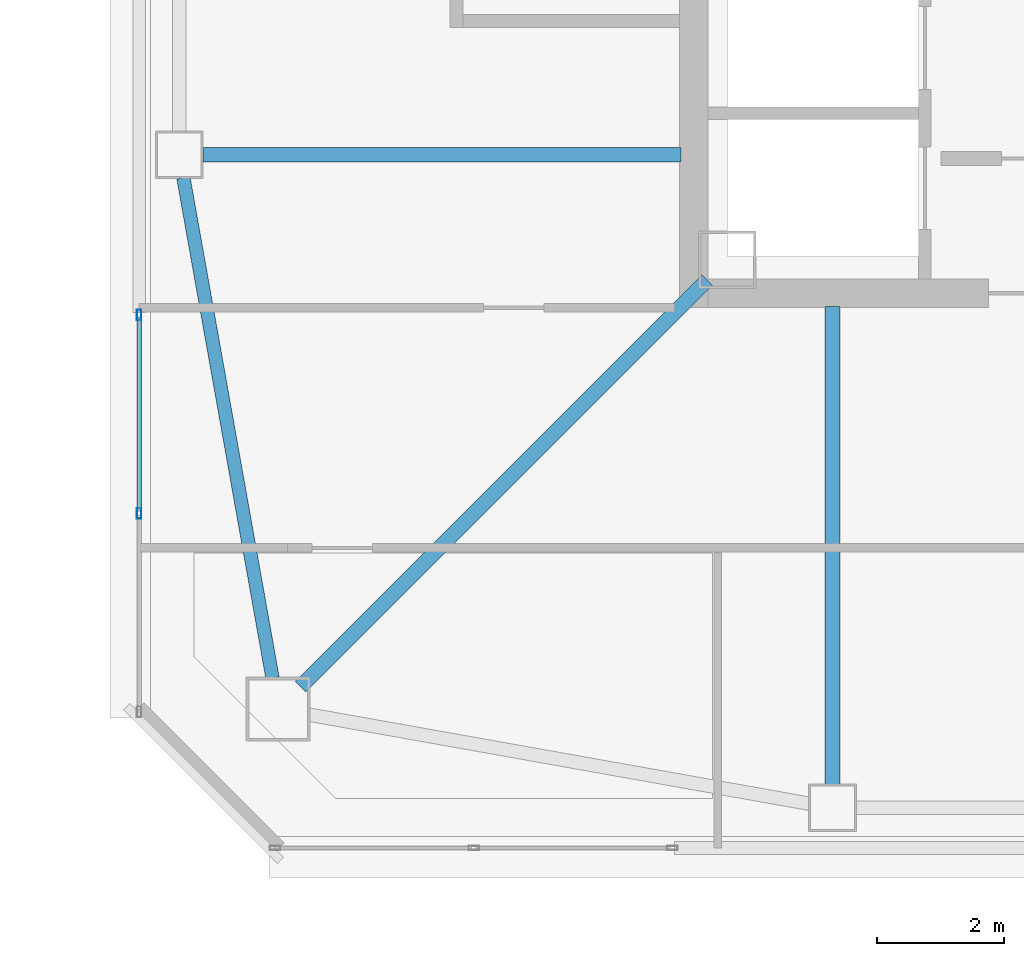
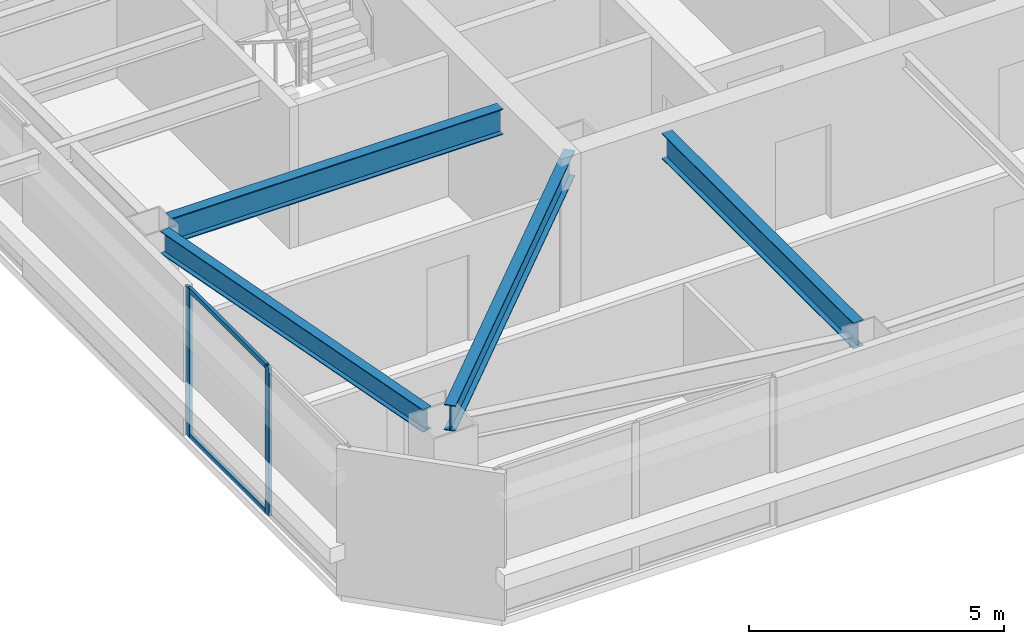
# One storey, part 5 of 44: 4 beams, 4 members, 1 element without a shape of its own.
"""IFC4 building model written with IfcOpenShell, lengths in metres."""

from ifc_helpers import new_model, si_unit, direction, frame, origin, origin_2d, place, context, subcontext, project, spatial, hollow_rectangle, i_section, extrude, material, material_profile, profile_set, type_object, element, aggregate, save


model = new_model("IFC4")

# Units and contexts
model_context = context("Model", 3, precision=1e-05, world=origin(), true_north=direction((0.0, 1.0)))
body_context = subcontext(model_context, "Body", "Model", "MODEL_VIEW")
ifc_project = project(units=[si_unit("LENGTHUNIT", "METRE"), si_unit("AREAUNIT", "SQUARE_METRE"), si_unit("VOLUMEUNIT", "CUBIC_METRE"), si_unit("PLANEANGLEUNIT", "RADIAN"), si_unit("MASSUNIT", "GRAM", prefix="KILO")], contexts=[model_context])

# Site, building, storey
site_placement = place(None, origin())
site = spatial("IfcSite", under=ifc_project, at=site_placement, CompositionType="ELEMENT")
building_placement = place(site_placement, origin())
building = spatial("IfcBuilding", under=site, at=building_placement, Name="Tashvorn Skyway Center", CompositionType="ELEMENT")
storey_placement = place(building_placement, frame((0.0, 0.0, 211.300048828125)))
storey = spatial("IfcBuildingStorey", under=building, at=storey_placement, Name="L57", CompositionType="ELEMENT", Elevation=211.300048828125)

# Beams
ifc_material_1 = material(Name="Steel ASTM A992 Grade 50", Category="steel")
ifc_material_profile_1 = material_profile(ifc_material_1, i_section(OverallWidth=0.22998046875, OverallDepth=0.616943359375, WebThickness=0.01318359375, FlangeThickness=0.022216796875, at=origin_2d()), Name="W24X94")
ifc_profile_set_1 = profile_set([ifc_material_profile_1], Name="Steel ASTM A992 Grade 50")
beam_type_1 = type_object("IfcBeamType", Name="BM-BEAM-W24X94", PredefinedType="BEAM", material=ifc_profile_set_1)
beam_1_placement = place(storey_placement, frame((28.25, 18.25, 3.0615234375), z_axis=(0.707106781187, 0.707106781187, 0.0), x_axis=(-0.707106781187, 0.707106781187, 0.0)))
element("IfcBeam", 1, at=beam_1_placement, inside=storey, type_object=beam_type_1, Name="Tower 1 L57 Primary Floor Girder MC-SW", PredefinedType="BEAM", context=body_context, shape_type="SweptSolid", body=[
    extrude(i_section(OverallWidth=0.22998046875, OverallDepth=0.616943359375, WebThickness=0.01318359375, FlangeThickness=0.022216796875, at=origin_2d()), origin(), (0.0, 0.0, 1.0), 9.030029296875),
])
for number, where, z_axis, x_axis, name in (
    (2, (36.60009765625, 16.719970703125, 3.0615234375), (0.0, 1.0, 0.0), (-1.0, 0.0, 0.0), "Tower 1 L57 Primary Floor Girder FC-S1"),
    (3, (26.719970703125, 26.60009765625, 3.0615234375), (1.0, 0.0, 0.0), (0.0, 1.0, 0.0), "Tower 1 L57 Primary Floor Girder FC-W2"),
):
    element("IfcBeam", number, at=place(storey_placement, frame(where, z_axis=z_axis, x_axis=x_axis)), inside=storey, type_object=beam_type_1, Name=name, PredefinedType="BEAM", context=body_context, shape_type="SweptSolid", body=[
        extrude(i_section(OverallWidth=0.22998046875, OverallDepth=0.616943359375, WebThickness=0.01318359375, FlangeThickness=0.022216796875, at=origin_2d()), origin(), (0.0, 0.0, 1.0), 7.5),
    ])
ifc_material_profile_2 = material_profile(ifc_material_1, i_section(OverallWidth=0.2109375, OverallDepth=0.5390625, WebThickness=0.01171875, FlangeThickness=0.018798828125, at=origin_2d()), Name="W21X73")
ifc_profile_set_2 = profile_set([ifc_material_profile_2], Name="Steel ASTM A992 Grade 50")
beam_type_2 = type_object("IfcBeamType", Name="BM-SPANDREL-W21X73", PredefinedType="SPANDREL", material=ifc_profile_set_2)
beam_2_placement = place(storey_placement, frame((26.414794921875, 26.23583984375, 3.100341796875), z_axis=(0.17541329759, -0.984494883191, 0.0), x_axis=(0.984494883191, 0.17541329759, 0.0)))
element("IfcBeam", 4, at=beam_2_placement, inside=storey, type_object=beam_type_2, Name="Tower 1 L57 Spandrel Beam 12", PredefinedType="SPANDREL", context=body_context, shape_type="SweptSolid", body=[
    extrude(i_section(OverallWidth=0.2109375, OverallDepth=0.5390625, WebThickness=0.01171875, FlangeThickness=0.018798828125, at=origin_2d()), origin(), (0.0, 0.0, 1.0), 7.97216796875),
])

# Curtain wall, members
ifc_material_2 = material(Name="Thermally broken bronze-anodized aluminium 6063-T6", Category="aluminium")
curtain_wall_type = type_object("IfcCurtainWallType", Name="CW-CW-Z5", PredefinedType="NOTDEFINED", material=ifc_material_2)
curtain_wall_placement = place(storey_placement, origin())
curtain_wall = element("IfcCurtainWall", 5, at=curtain_wall_placement, inside=storey, type_object=curtain_wall_type, Name="Tower 1 L57 West Unitised Curtain Wall Glazing Group 1", PredefinedType="NOTDEFINED")
ifc_material_profile_3 = material_profile(ifc_material_2, hollow_rectangle(XDim=0.070068359375, YDim=0.1650390625, WallThickness=0.00390625, at=origin_2d()), Name="ALU-MULL-70x165")
ifc_profile_set_3 = profile_set([ifc_material_profile_3], Name="Thermally broken bronze-anodized aluminium 6063-T6")
member_type_1 = type_object("IfcMemberType", Name="CWM-CW-Z5", PredefinedType="MULLION", material=ifc_profile_set_3)
member_1_placement = place(storey_placement, frame((25.719970703125, 20.97119140625, 0.0), z_axis=(0.0, 0.0, 1.0), x_axis=(-1.0, 0.0, 0.0)))
member_1 = element("IfcMember", 6, at=member_1_placement, type_object=member_type_1, Name="CW-Z5 mullion 2", PredefinedType="MULLION", context=body_context, shape_type="SweptSolid", body=[
    extrude(hollow_rectangle(XDim=0.070068359375, YDim=0.1650390625, WallThickness=0.00390625, at=origin_2d()), origin(), (0.0, 0.0, 1.0), 3.550048828125),
])
member_2_placement = place(storey_placement, frame((25.719970703125, 24.087158203125, 0.0), z_axis=(0.0, 0.0, 1.0), x_axis=(-1.0, 0.0, 0.0)))
member_2 = element("IfcMember", 7, at=member_2_placement, type_object=member_type_1, Name="CW-Z5 mullion 3", PredefinedType="MULLION", context=body_context, shape_type="SweptSolid", body=[
    extrude(hollow_rectangle(XDim=0.070068359375, YDim=0.1650390625, WallThickness=0.00390625, at=origin_2d()), origin(), (0.0, 0.0, 1.0), 3.550048828125),
])
ifc_material_profile_4 = material_profile(ifc_material_2, hollow_rectangle(XDim=0.070068359375, YDim=0.114990234375, WallThickness=0.00390625, at=origin_2d()), Name="ALU-TRAN-70x115")
ifc_profile_set_4 = profile_set([ifc_material_profile_4], Name="Thermally broken bronze-anodized aluminium 6063-T6")
member_type_2 = type_object("IfcMemberType", Name="CWT-CW-Z5", PredefinedType="USERDEFINED", material=ifc_profile_set_4)
member_3_placement = place(storey_placement, frame((25.719970703125, 21.006103515625, 0.034912109375), z_axis=(0.0, 1.0, 0.0), x_axis=(-1.0, 0.0, 0.0)))
member_3 = element("IfcMember", 8, at=member_3_placement, type_object=member_type_2, Name="CW-Z5 transom 2.1", ObjectType="TRANSOM", PredefinedType="USERDEFINED", context=body_context, shape_type="SweptSolid", body=[
    extrude(hollow_rectangle(XDim=0.070068359375, YDim=0.114990234375, WallThickness=0.00390625, at=origin_2d()), origin(), (0.0, 0.0, 1.0), 3.046142578125),
])
member_4_placement = place(storey_placement, frame((25.719970703125, 21.006103515625, 3.514892578125), z_axis=(0.0, 1.0, 0.0), x_axis=(-1.0, 0.0, 0.0)))
member_4 = element("IfcMember", 9, at=member_4_placement, type_object=member_type_2, Name="CW-Z5 transom 2.2", ObjectType="TRANSOM", PredefinedType="USERDEFINED", context=body_context, shape_type="SweptSolid", body=[
    extrude(hollow_rectangle(XDim=0.070068359375, YDim=0.114990234375, WallThickness=0.00390625, at=origin_2d()), origin(), (0.0, 0.0, 1.0), 3.046142578125),
])
aggregate(curtain_wall, [member_1, member_2, member_3, member_4])

save(model, "model.ifc")
